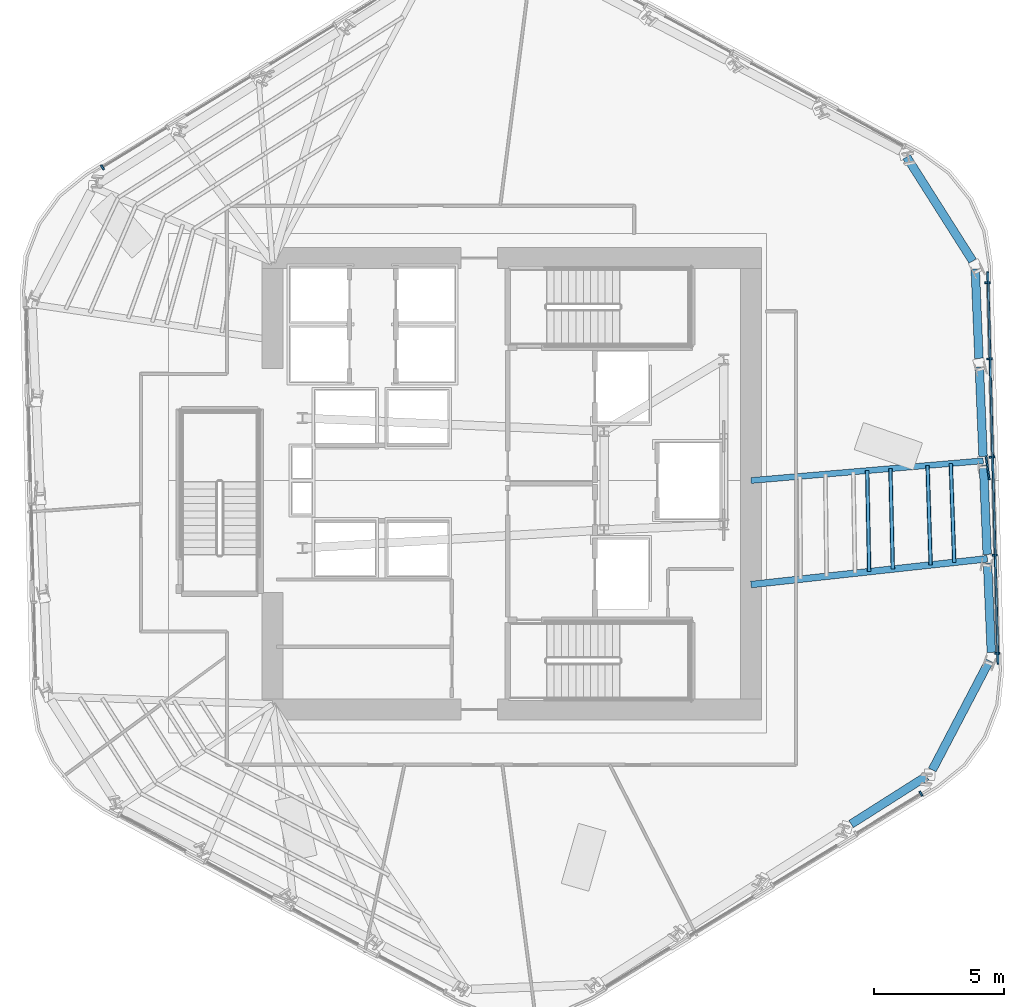
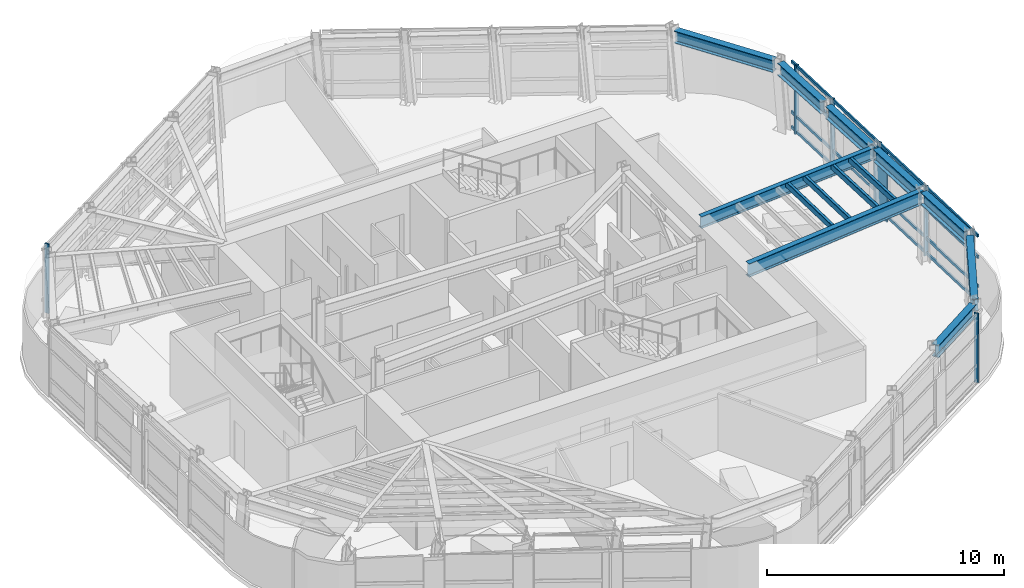
# One storey, part 5 of 15: 16 members, 9 beams, 3 elements without a shape of their own.
"""IFC4 building model written with IfcOpenShell, lengths in metres."""

from ifc_helpers import new_model, si_unit, direction, frame, origin, origin_2d, place, context, subcontext, project, spatial, rectangle, hollow_rectangle, i_section, extrude, material, layer, layer_set, material_profile, profile_set, type_object, element, aggregate, save


model = new_model("IFC4")

# Units and contexts
model_context = context("Model", 3, precision=1e-05, world=origin(), true_north=direction((0.0, 1.0)))
body_context = subcontext(model_context, "Body", "Model", "MODEL_VIEW")
ifc_project = project(units=[si_unit("LENGTHUNIT", "METRE"), si_unit("AREAUNIT", "SQUARE_METRE"), si_unit("VOLUMEUNIT", "CUBIC_METRE"), si_unit("PLANEANGLEUNIT", "RADIAN"), si_unit("MASSUNIT", "GRAM", prefix="KILO")], contexts=[model_context])

# Site, building, storey
site_placement = place(None, origin())
site = spatial("IfcSite", under=ifc_project, at=site_placement, CompositionType="ELEMENT")
building_placement = place(site_placement, origin())
building = spatial("IfcBuilding", under=site, at=building_placement, Name="Valkerne Bourse Tower", CompositionType="ELEMENT")
storey_placement = place(building_placement, frame((0.0, 0.0, 159.0)))
storey = spatial("IfcBuildingStorey", under=building, at=storey_placement, Name="L40", CompositionType="ELEMENT", Elevation=159.0)

# Beams
ifc_material_1 = material(Name="Steel ASTM A992", Category="steel")
ifc_material_profile_1 = material_profile(ifc_material_1, i_section(OverallWidth=0.32763671875, OverallDepth=0.62744140625, WebThickness=0.0166015625, FlangeThickness=0.027587890625, FilletRadius=0.020263671875, at=origin_2d()), Name="W24X146")
ifc_profile_set_1 = profile_set([ifc_material_profile_1], Name="Steel ASTM A992")
beam_type_1 = type_object("IfcBeamType", Name="BM-W24X146", PredefinedType="SPANDREL", material=ifc_profile_set_1)
beam_1_placement = place(storey_placement, frame((59.84912109375, 13.79296875, 3.266357421875), z_axis=(0.84434056338, 0.535806880351, 0.0), x_axis=(-0.535806880351, 0.84434056338, 0.0)))
element("IfcBeam", 1, at=beam_1_placement, inside=storey, type_object=beam_type_1, Name="L40 Hexagonal Spandrel Ring Beam 23", PredefinedType="SPANDREL", context=body_context, shape_type="SweptSolid", body=[
    extrude(i_section(OverallWidth=0.32763671875, OverallDepth=0.62744140625, WebThickness=0.0166015625, FlangeThickness=0.027587890625, FilletRadius=0.020263671875, at=origin_2d()), origin(), (0.0, 0.0, 1.0), 3.43115234375),
])
beam_2_placement = place(storey_placement, frame((62.968505859375, 15.873046875, 3.266357421875), z_axis=(0.46325237056, 0.886226405142, 0.0), x_axis=(-0.886226405142, 0.46325237056, 0.0)))
element("IfcBeam", 2, at=beam_2_placement, inside=storey, type_object=beam_type_1, Name="L40 Hexagonal Spandrel Ring Beam 24", PredefinedType="SPANDREL", context=body_context, shape_type="SweptSolid", body=[
    extrude(i_section(OverallWidth=0.32763671875, OverallDepth=0.62744140625, WebThickness=0.0166015625, FlangeThickness=0.027587890625, FilletRadius=0.020263671875, at=origin_2d()), origin(), (0.0, 0.0, 1.0), 4.739990234375),
])
beam_3_placement = place(storey_placement, frame((65.236083984375, 20.394287109375, 3.266357421875), z_axis=(-0.041911719693, 0.999121317835, 0.0), x_axis=(-0.999121317835, -0.041911719693, 0.0)))
element("IfcBeam", 3, at=beam_3_placement, inside=storey, type_object=beam_type_1, Name="L40 Hexagonal Spandrel Ring Beam 25", PredefinedType="SPANDREL", context=body_context, shape_type="SweptSolid", body=[
    extrude(i_section(OverallWidth=0.32763671875, OverallDepth=0.62744140625, WebThickness=0.0166015625, FlangeThickness=0.027587890625, FilletRadius=0.020263671875, at=origin_2d()), origin(), (0.0, 0.0, 1.0), 3.430908203125),
])
beam_4_placement = place(storey_placement, frame((65.078125, 24.162109375, 3.266357421875), z_axis=(-0.041914699614, 0.999121192827, 0.0), x_axis=(-0.999121192827, -0.041914699614, 0.0)))
element("IfcBeam", 4, at=beam_4_placement, inside=storey, type_object=beam_type_1, Name="L40 Hexagonal Spandrel Ring Beam 26", PredefinedType="SPANDREL", context=body_context, shape_type="SweptSolid", body=[
    extrude(i_section(OverallWidth=0.32763671875, OverallDepth=0.62744140625, WebThickness=0.0166015625, FlangeThickness=0.027587890625, FilletRadius=0.020263671875, at=origin_2d()), origin(), (0.0, 0.0, 1.0), 3.4306640625),
])
beam_5_placement = place(storey_placement, frame((64.920166015625, 27.9296875, 3.266357421875), z_axis=(-0.041840686951, 0.999124295028, 0.0), x_axis=(-0.999124295028, -0.041840686951, 0.0)))
element("IfcBeam", 5, at=beam_5_placement, inside=storey, type_object=beam_type_1, Name="L40 Hexagonal Spandrel Ring Beam 27", PredefinedType="SPANDREL", context=body_context, shape_type="SweptSolid", body=[
    extrude(i_section(OverallWidth=0.32763671875, OverallDepth=0.62744140625, WebThickness=0.0166015625, FlangeThickness=0.027587890625, FilletRadius=0.020263671875, at=origin_2d()), origin(), (0.0, 0.0, 1.0), 3.430908203125),
])
beam_6_placement = place(storey_placement, frame((64.76220703125, 31.697509765625, 3.266357421875), z_axis=(-0.041843661839, 0.999124170443, 0.0), x_axis=(-0.999124170443, -0.041843661839, 0.0)))
element("IfcBeam", 6, at=beam_6_placement, inside=storey, type_object=beam_type_1, Name="L40 Hexagonal Spandrel Ring Beam 28", PredefinedType="SPANDREL", context=body_context, shape_type="SweptSolid", body=[
    extrude(i_section(OverallWidth=0.32763671875, OverallDepth=0.62744140625, WebThickness=0.0166015625, FlangeThickness=0.027587890625, FilletRadius=0.020263671875, at=origin_2d()), origin(), (0.0, 0.0, 1.0), 3.4306640625),
])
beam_7_placement = place(storey_placement, frame((64.5205078125, 35.438720703125, 3.266357421875), z_axis=(-0.535851977269, 0.844311943808, 0.0), x_axis=(-0.844311943808, -0.535851977269, 0.0)))
element("IfcBeam", 7, at=beam_7_placement, inside=storey, type_object=beam_type_1, Name="L40 Hexagonal Spandrel Ring Beam 29", PredefinedType="SPANDREL", context=body_context, shape_type="SweptSolid", body=[
    extrude(i_section(OverallWidth=0.32763671875, OverallDepth=0.62744140625, WebThickness=0.0166015625, FlangeThickness=0.027587890625, FilletRadius=0.020263671875, at=origin_2d()), origin(), (0.0, 0.0, 1.0), 4.740234375),
])
ifc_material_profile_2 = material_profile(ifc_material_1, i_section(OverallWidth=0.228271484375, OverallDepth=0.607177734375, WebThickness=0.01123046875, FlangeThickness=0.017333984375, FilletRadius=0.017822265625, at=origin_2d()), Name="W24X76")
ifc_profile_set_2 = profile_set([ifc_material_profile_2], Name="Steel ASTM A992")
beam_type_2 = type_object("IfcBeamType", Name="BM-W24X76", PredefinedType="JOIST", material=ifc_profile_set_2)
beam_8_placement = place(storey_placement, frame((64.92724609375, 27.759765625, 3.276611328125), z_axis=(-0.996398007206, -0.084799830401, 0.0), x_axis=(0.084799830401, -0.996398007206, 0.0)))
element("IfcBeam", 8, at=beam_8_placement, inside=storey, type_object=beam_type_2, Name="L40 Radial Composite Floor Beam 27", PredefinedType="JOIST", context=body_context, shape_type="SweptSolid", body=[
    extrude(i_section(OverallWidth=0.228271484375, OverallDepth=0.607177734375, WebThickness=0.01123046875, FlangeThickness=0.017333984375, FilletRadius=0.017822265625, at=origin_2d()), origin(), (0.0, 0.0, 1.0), 8.95947265625),
])
ifc_material_profile_3 = material_profile(ifc_material_1, i_section(OverallWidth=0.255859375, OverallDepth=0.693359375, WebThickness=0.014404296875, FlangeThickness=0.023681640625, FilletRadius=0.02294921875, at=origin_2d()), Name="W27X114")
ifc_profile_set_3 = profile_set([ifc_material_profile_3], Name="Steel ASTM A992")
beam_type_3 = type_object("IfcBeamType", Name="BM-W27X114", PredefinedType="BEAM", material=ifc_profile_set_3)
beam_9_placement = place(storey_placement, frame((65.085205078125, 23.9921875, 3.2333984375), z_axis=(-0.994089498145, -0.108563666473, 0.0), x_axis=(0.108563666473, -0.994089498145, 0.0)))
element("IfcBeam", 9, at=beam_9_placement, inside=storey, type_object=beam_type_3, Name="L40 Radial Composite Floor Beam 26", PredefinedType="BEAM", context=body_context, shape_type="SweptSolid", body=[
    extrude(i_section(OverallWidth=0.255859375, OverallDepth=0.693359375, WebThickness=0.014404296875, FlangeThickness=0.023681640625, FilletRadius=0.02294921875, at=origin_2d()), origin(), (0.0, 0.0, 1.0), 9.13916015625),
])

# Curtain wall, member
ifc_material_2 = material(Name="Aluminium AA 6063-T6", Category="aluminium")
ifc_layer = layer(ifc_material_2, 0.235107421875)
ifc_layer_set = layer_set([ifc_layer], Name="Aluminium AA 6063-T6")
curtain_wall_type = type_object("IfcCurtainWallType", Name="CW-03", PredefinedType="NOTDEFINED", material=ifc_layer_set)
curtain_wall_1_placement = place(storey_placement, origin())
curtain_wall_1 = element("IfcCurtainWall", 10, at=curtain_wall_1_placement, inside=storey, type_object=curtain_wall_type, Name="L40 Hexagonal Stick Curtain Wall Face 2", PredefinedType="NOTDEFINED")
ifc_material_profile_4 = material_profile(ifc_material_2, rectangle(XDim=0.074951171875, YDim=0.199951171875, at=origin_2d()), Name="CWM-75X200")
ifc_profile_set_4 = profile_set([ifc_material_profile_4], Name="Aluminium AA 6063-T6")
member_type_1 = type_object("IfcMemberType", Name="CW-MUL-220X75", PredefinedType="MULLION", material=ifc_profile_set_4)
member_1_placement = place(storey_placement, frame((31.070068359375, 39.038330078125, 0.0), z_axis=(0.0, 0.0, 1.0), x_axis=(-0.852644697846, -0.522491166657, 0.0)))
member_1 = element("IfcMember", 11, at=member_1_placement, type_object=member_type_1, Name="CW-L40-F2 Jamb Mullion 03B", PredefinedType="MULLION", context=body_context, shape_type="SweptSolid", body=[
    extrude(rectangle(XDim=0.074951171875, YDim=0.199951171875, at=origin_2d()), origin(), (0.0, 0.0, 1.0), 3.580078125),
])
aggregate(curtain_wall_1, [member_1])

curtain_wall_2_placement = place(storey_placement, origin())
curtain_wall_2 = element("IfcCurtainWall", 12, at=curtain_wall_2_placement, inside=storey, type_object=curtain_wall_type, Name="L40 Hexagonal Stick Curtain Wall Face 5", PredefinedType="NOTDEFINED")
member_2_placement = place(storey_placement, frame((62.52978515625, 14.961669921875, 0.0), z_axis=(0.0, 0.0, 1.0), x_axis=(0.852644697846, 0.522491166657, 0.0)))
member_2 = element("IfcMember", 13, at=member_2_placement, type_object=member_type_1, Name="CW-L40-F5 Jamb Mullion 03B", PredefinedType="MULLION", context=body_context, shape_type="SweptSolid", body=[
    extrude(rectangle(XDim=0.074951171875, YDim=0.199951171875, at=origin_2d()), origin(), (0.0, 0.0, 1.0), 3.580078125),
])
aggregate(curtain_wall_2, [member_2])

# Curtain wall, members
curtain_wall_3_placement = place(storey_placement, origin())
curtain_wall_3 = element("IfcCurtainWall", 14, at=curtain_wall_3_placement, inside=storey, type_object=curtain_wall_type, Name="L40 Hexagonal Stick Curtain Wall Face 6", PredefinedType="NOTDEFINED")
member_3_placement = place(storey_placement, frame((65.46337890625, 20.3642578125, 0.0), z_axis=(0.0, 0.0, 1.0), x_axis=(-0.026173485138, 0.999657415656, 0.0)))
member_3 = element("IfcMember", 15, at=member_3_placement, type_object=member_type_1, Name="CW-L40-F6 Jamb Mullion 00A", PredefinedType="MULLION", context=body_context, shape_type="SweptSolid", body=[
    extrude(rectangle(XDim=0.074951171875, YDim=0.199951171875, at=origin_2d()), origin(), (0.0, 0.0, 1.0), 3.580078125),
])
member_4_placement = place(storey_placement, frame((65.364501953125, 24.134033203125, 0.0), z_axis=(0.0, 0.0, 1.0), x_axis=(-0.026173485138, 0.999657415656, 0.0)))
member_4 = element("IfcMember", 16, at=member_4_placement, type_object=member_type_1, Name="CW-L40-F6 Jamb Mullion 01A", PredefinedType="MULLION", context=body_context, shape_type="SweptSolid", body=[
    extrude(rectangle(XDim=0.074951171875, YDim=0.199951171875, at=origin_2d()), origin(), (0.0, 0.0, 1.0), 3.580078125),
])
member_5_placement = place(storey_placement, frame((65.265869140625, 27.90380859375, 0.0), z_axis=(0.0, 0.0, 1.0), x_axis=(-0.026173485138, 0.999657415656, 0.0)))
member_5 = element("IfcMember", 17, at=member_5_placement, type_object=member_type_1, Name="CW-L40-F6 Jamb Mullion 02A", PredefinedType="MULLION", context=body_context, shape_type="SweptSolid", body=[
    extrude(rectangle(XDim=0.074951171875, YDim=0.199951171875, at=origin_2d()), origin(), (0.0, 0.0, 1.0), 3.580078125),
])
member_6_placement = place(storey_placement, frame((65.167236328125, 31.67333984375, 0.0), z_axis=(0.0, 0.0, 1.0), x_axis=(-0.026173485138, 0.999657415656, 0.0)))
member_6 = element("IfcMember", 18, at=member_6_placement, type_object=member_type_1, Name="CW-L40-F6 Jamb Mullion 03A", PredefinedType="MULLION", context=body_context, shape_type="SweptSolid", body=[
    extrude(rectangle(XDim=0.074951171875, YDim=0.199951171875, at=origin_2d()), origin(), (0.0, 0.0, 1.0), 3.580078125),
])
member_7_placement = place(storey_placement, frame((65.090576171875, 34.603271484375, 0.0), z_axis=(0.0, 0.0, 1.0), x_axis=(-0.026173485138, 0.999657415656, 0.0)))
member_7 = element("IfcMember", 19, at=member_7_placement, type_object=member_type_1, Name="CW-L40-F6 Jamb Mullion 03B", PredefinedType="MULLION", context=body_context, shape_type="SweptSolid", body=[
    extrude(rectangle(XDim=0.074951171875, YDim=0.199951171875, at=origin_2d()), origin(), (0.0, 0.0, 1.0), 3.580078125),
])
ifc_material_profile_5 = material_profile(ifc_material_2, rectangle(XDim=0.074951171875, YDim=0.14990234375, at=origin_2d()), Name="CWT-75X150")
ifc_profile_set_5 = profile_set([ifc_material_profile_5], Name="Aluminium AA 6063-T6")
member_type_2 = type_object("IfcMemberType", Name="CW-TRN-180X65", PredefinedType="USERDEFINED", material=ifc_profile_set_5)
member_8_placement = place(storey_placement, frame((65.494384765625, 19.94482421875, 0.1201171875), z_axis=(-0.026171755167, 0.999657460949, 0.0), x_axis=(-0.999657460949, -0.026171755167, 0.0)))
member_8 = element("IfcMember", 20, at=member_8_placement, type_object=member_type_2, Name="CW-L40-F6 Continuous Face Transom 1", ObjectType="TRANSOM", PredefinedType="USERDEFINED", context=body_context, shape_type="SweptSolid", body=[
    extrude(rectangle(XDim=0.074951171875, YDim=0.14990234375, at=origin_2d()), origin(), (0.0, 0.0, 1.0), 15.083984375),
])
member_9_placement = place(storey_placement, frame((65.494384765625, 19.94482421875, 0.89990234375), z_axis=(-0.026171755167, 0.999657460949, 0.0), x_axis=(-0.999657460949, -0.026171755167, 0.0)))
member_9 = element("IfcMember", 21, at=member_9_placement, type_object=member_type_2, Name="CW-L40-F6 Continuous Face Transom 2", ObjectType="TRANSOM", PredefinedType="USERDEFINED", context=body_context, shape_type="SweptSolid", body=[
    extrude(rectangle(XDim=0.074951171875, YDim=0.14990234375, at=origin_2d()), origin(), (0.0, 0.0, 1.0), 15.083984375),
])
member_10_placement = place(storey_placement, frame((65.494384765625, 19.94482421875, 2.39990234375), z_axis=(-0.026171755167, 0.999657460949, 0.0), x_axis=(-0.999657460949, -0.026171755167, 0.0)))
member_10 = element("IfcMember", 22, at=member_10_placement, type_object=member_type_2, Name="CW-L40-F6 Continuous Face Transom 3", ObjectType="TRANSOM", PredefinedType="USERDEFINED", context=body_context, shape_type="SweptSolid", body=[
    extrude(rectangle(XDim=0.074951171875, YDim=0.14990234375, at=origin_2d()), origin(), (0.0, 0.0, 1.0), 15.083984375),
])
member_11_placement = place(storey_placement, frame((65.494384765625, 19.94482421875, 3.5), z_axis=(-0.026171755167, 0.999657460949, 0.0), x_axis=(-0.999657460949, -0.026171755167, 0.0)))
member_11 = element("IfcMember", 23, at=member_11_placement, type_object=member_type_2, Name="CW-L40-F6 Continuous Face Transom 4", ObjectType="TRANSOM", PredefinedType="USERDEFINED", context=body_context, shape_type="SweptSolid", body=[
    extrude(rectangle(XDim=0.074951171875, YDim=0.14990234375, at=origin_2d()), origin(), (0.0, 0.0, 1.0), 15.083984375),
])
aggregate(curtain_wall_3, [member_8, member_9, member_10, member_11, member_3, member_4, member_5, member_6, member_7])

# Members
ifc_material_3 = material(Name="Bronze Anodised Aluminium AA 6063-T6", Category="aluminium")
ifc_material_profile_6 = material_profile(ifc_material_3, rectangle(XDim=0.070068359375, YDim=0.89990234375, at=origin_2d()), Name="FIN-70X900")
ifc_profile_set_6 = profile_set([ifc_material_profile_6], Name="Bronze Anodised Aluminium AA 6063-T6")
member_type_3 = type_object("IfcMemberType", Name="FIN-SOLAR-900", PredefinedType="USERDEFINED", material=ifc_profile_set_6)
member_12_placement = place(storey_placement, frame((65.096923828125, 27.47900390625, 0.00390625), z_axis=(0.0, 0.0, 1.0), x_axis=(0.989825791675, 0.14228458151, 0.0)))
element("IfcMember", 24, at=member_12_placement, inside=storey, type_object=member_type_3, Name="L40 Bronze Anodised Solar Fin F6-02", ObjectType="SOLAR_FIN", PredefinedType="USERDEFINED", context=body_context, shape_type="SweptSolid", body=[
    extrude(rectangle(XDim=0.070068359375, YDim=0.89990234375, at=origin_2d()), origin(), (0.0, 0.0, 1.0), 3.572021484375),
])
ifc_material_4 = material(Name="Steel ASTM A500 Grade C", Category="steel")
ifc_material_profile_7 = material_profile(ifc_material_4, hollow_rectangle(XDim=0.14990234375, YDim=0.300048828125, WallThickness=0.012451171875, OuterFilletRadius=0.02490234375, at=origin_2d()), Name="HSS300X150X12.5")
ifc_profile_set_7 = profile_set([ifc_material_profile_7], Name="Steel ASTM A500 Grade C")
member_type_4 = type_object("IfcMemberType", Name="MBR-HSS300X150X12.5", PredefinedType="PURLIN", material=ifc_profile_set_7)
member_13_placement = place(storey_placement, frame((60.54248046875, 23.49609375, 3.419921875), z_axis=(-0.020300065387, 0.999793932441, 0.0), x_axis=(-0.999793932441, -0.020300065387, 0.0)))
element("IfcMember", 25, at=member_13_placement, inside=storey, type_object=member_type_4, Name="L40 Secondary Composite Floor Purlin M-26", PredefinedType="PURLIN", context=body_context, shape_type="SweptSolid", body=[
    extrude(hollow_rectangle(XDim=0.14990234375, YDim=0.300048828125, WallThickness=0.012451171875, OuterFilletRadius=0.02490234375, at=origin_2d()), origin(), (0.0, 0.0, 1.0), 3.884521484375),
])
member_14_placement = place(storey_placement, frame((62.90478515625, 23.75390625, 3.419921875), z_axis=(-0.031400127199, 0.999506894429, 0.0), x_axis=(-0.999506894429, -0.031400127199, 0.0)))
element("IfcMember", 26, at=member_14_placement, inside=storey, type_object=member_type_4, Name="L40 Secondary Composite Floor Purlin O-26", PredefinedType="PURLIN", context=body_context, shape_type="SweptSolid", body=[
    extrude(hollow_rectangle(XDim=0.14990234375, YDim=0.300048828125, WallThickness=0.012451171875, OuterFilletRadius=0.02490234375, at=origin_2d()), origin(), (0.0, 0.0, 1.0), 3.825439453125),
])
member_15_placement = place(storey_placement, frame((61.451171875, 23.59521484375, 3.419921875), z_axis=(-0.024529390652, 0.999699109229, 0.0), x_axis=(-0.999699109229, -0.024529390652, 0.0)))
element("IfcMember", 27, at=member_15_placement, inside=storey, type_object=member_type_4, Name="L40 Secondary Composite Floor Purlin Z-26", PredefinedType="PURLIN", context=body_context, shape_type="SweptSolid", body=[
    extrude(hollow_rectangle(XDim=0.14990234375, YDim=0.300048828125, WallThickness=0.012451171875, OuterFilletRadius=0.02490234375, at=origin_2d()), origin(), (0.0, 0.0, 1.0), 3.86181640625),
])
member_16_placement = place(storey_placement, frame((63.813232421875, 23.853271484375, 3.419921875), z_axis=(-0.035698400937, 0.999362608952, 0.0), x_axis=(-0.999362608952, -0.035698400937, 0.0)))
element("IfcMember", 28, at=member_16_placement, inside=storey, type_object=member_type_4, Name="L40 Secondary Composite Floor Purlin T-26", PredefinedType="PURLIN", context=body_context, shape_type="SweptSolid", body=[
    extrude(hollow_rectangle(XDim=0.14990234375, YDim=0.300048828125, WallThickness=0.012451171875, OuterFilletRadius=0.02490234375, at=origin_2d()), origin(), (0.0, 0.0, 1.0), 3.802490234375),
])

save(model, "model.ifc")
